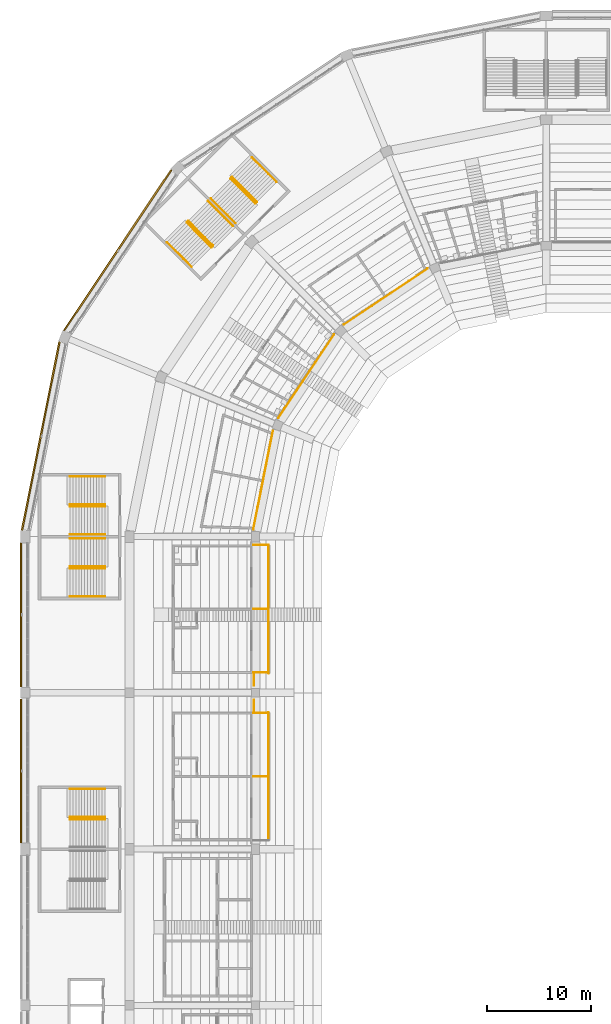
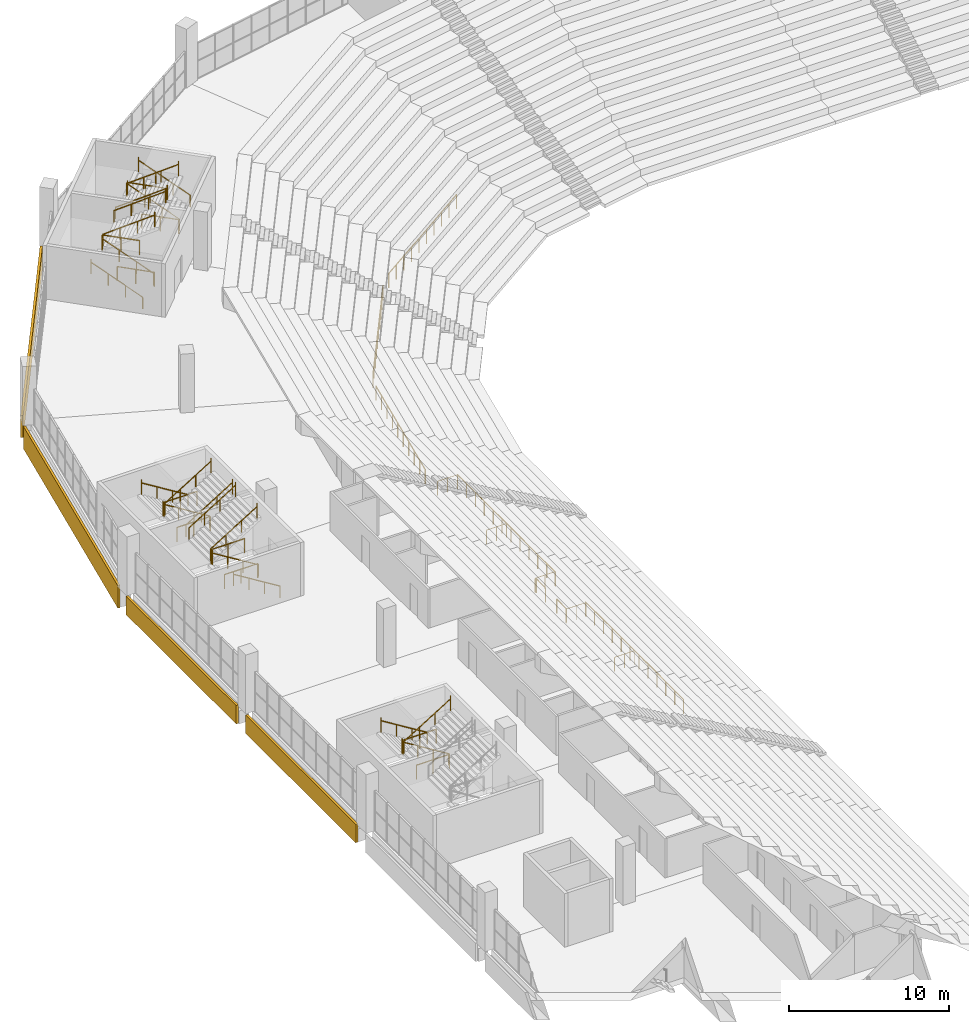
# One storey, part 239 of 249: 41 railings, 4 coverings.
"""IFC4 building model written with IfcOpenShell, lengths in metres."""

from ifc_helpers import new_model, si_unit, direction, frame, origin, origin_2d, place, context, subcontext, project, spatial, polyline, circle, outline, extrude, material, layer, layer_set, type_object, element, save


model = new_model("IFC4")

# Units and contexts
model_context = context("Model", 3, precision=1e-05, world=origin(), true_north=direction((0.0, 1.0)))
body_context = subcontext(model_context, "Body", "Model", "MODEL_VIEW")
ifc_project = project(units=[si_unit("LENGTHUNIT", "METRE"), si_unit("AREAUNIT", "SQUARE_METRE"), si_unit("VOLUMEUNIT", "CUBIC_METRE"), si_unit("PLANEANGLEUNIT", "RADIAN"), si_unit("MASSUNIT", "GRAM", prefix="KILO")], contexts=[model_context])

# Site, building, storey
site_placement = place(None, origin())
site = spatial("IfcSite", under=ifc_project, at=site_placement, CompositionType="ELEMENT")
building_placement = place(site_placement, origin())
building = spatial("IfcBuilding", under=site, at=building_placement, Name="Ogive Plaza Stadium", CompositionType="ELEMENT")
storey_placement = place(building_placement, frame((0.0, 0.0, 13.5)))
storey = spatial("IfcBuildingStorey", under=building, at=storey_placement, Name="L03", CompositionType="ELEMENT", Elevation=13.5)

# Railings
ifc_material_1 = material(Name="Steel ASTM A572 Grade 50", Category="steel")
railing_type_1 = type_object("IfcRailingType", Name="Guard 1100", PredefinedType="GUARDRAIL", material=ifc_material_1)
for number, where, name in (
    (1, (-76.35009765625, 25.47509765625, 0.0), "Stair well guard ST26A L03"),
    (2, (-77.31005859375, 25.47509765625, 2.25), "Stair well guard ST26A L03"),
    (3, (-76.35009765625, 55.47509765625, 0.0), "Stair well guard ST28A L03"),
    (4, (-77.31005859375, 55.47509765625, 2.25), "Stair well guard ST28A L03"),
    (5, (-76.35009765625, 49.52490234375, 0.0), "Stair well guard ST28B L03"),
    (6, (-77.31005859375, 49.52490234375, 2.25), "Stair well guard ST28B L03"),
):
    element("IfcRailing", number, at=place(storey_placement, frame(where)), inside=storey, type_object=railing_type_1, Name=name, PredefinedType="GUARDRAIL", context=body_context, shape_type="SweptSolid", body=[
        extrude(circle(Radius=0.02392578125, at=origin_2d()), frame((0.0, 0.0, 1.076171875), z_axis=(-1.0, 0.0, 0.0), x_axis=(0.0, -1.0, 0.0)), (0.0, 0.0, 1.0), 2.39990234375),
        extrude(circle(Radius=0.02099609375, at=origin_2d()), origin(), (0.0, 0.0, 1.0), 1.052001953125),
        extrude(circle(Radius=0.02099609375, at=origin_2d()), frame((-1.199951171875, 0.0, 0.0)), (0.0, 0.0, 1.0), 1.052001953125),
        extrude(circle(Radius=0.02099609375, at=origin_2d()), frame((-2.39990234375, 0.0, 0.0)), (0.0, 0.0, 1.0), 1.052001953125),
    ])
for number, where, name in (
    (7, (-61.84228515625, 84.549560546875, 0.0), "Stair well guard ST30A L03"),
    (8, (-62.521240234375, 85.228515625, 2.25), "Stair well guard ST30A L03"),
    (9, (-66.049560546875, 80.34228515625, 0.0), "Stair well guard ST30B L03"),
    (10, (-66.728515625, 81.021240234375, 2.25), "Stair well guard ST30B L03"),
):
    element("IfcRailing", number, at=place(storey_placement, frame(where)), inside=storey, type_object=railing_type_1, Name=name, PredefinedType="GUARDRAIL", context=body_context, shape_type="SweptSolid", body=[
        extrude(circle(Radius=0.02392578125, at=origin_2d()), frame((0.0, 0.0, 1.076171875), z_axis=(-0.707106781187, 0.707106781187, 0.0), x_axis=(-0.707106781187, -0.707106781187, 0.0)), (0.0, 0.0, 1.0), 2.39990234375),
        extrude(circle(Radius=0.02099609375, at=origin_2d()), origin(), (0.0, 0.0, 1.0), 1.052001953125),
        extrude(circle(Radius=0.02099609375, at=origin_2d()), frame((-0.8486328125, 0.8486328125, 0.0)), (0.0, 0.0, 1.0), 1.052001953125),
        extrude(circle(Radius=0.02099609375, at=origin_2d()), frame((-1.697021484375, 1.697021484375, 0.0)), (0.0, 0.0, 1.0), 1.052001953125),
    ])
railing_1_placement = place(storey_placement, frame((-62.113525390625, 53.1865234375, 0.0)))
element("IfcRailing", 11, at=railing_1_placement, inside=storey, type_object=railing_type_1, Name="Guard L03 B28", PredefinedType="GUARDRAIL", context=body_context, shape_type="SweptSolid", body=[
    extrude(circle(Radius=0.02392578125, at=origin_2d()), frame((0.0, 0.0, 1.076171875), z_axis=(0.195106054289, 0.980782150928, 0.0), x_axis=(-0.980782150928, 0.195106054289, 0.0)), (0.0, 0.0, 1.0), 9.62255859375),
    extrude(circle(Radius=0.02099609375, at=origin_2d()), origin(), (0.0, 0.0, 1.0), 1.052001953125),
    extrude(circle(Radius=0.02099609375, at=origin_2d()), frame((0.20849609375, 1.048583984375, 0.0)), (0.0, 0.0, 1.0), 1.052001953125),
    extrude(circle(Radius=0.02099609375, at=origin_2d()), frame((0.417236328125, 2.09716796875, 0.0)), (0.0, 0.0, 1.0), 1.052001953125),
    extrude(circle(Radius=0.02099609375, at=origin_2d()), frame((0.625732421875, 3.14599609375, 0.0)), (0.0, 0.0, 1.0), 1.052001953125),
    extrude(circle(Radius=0.02099609375, at=origin_2d()), frame((0.83447265625, 4.194580078125, 0.0)), (0.0, 0.0, 1.0), 1.052001953125),
    extrude(circle(Radius=0.02099609375, at=origin_2d()), frame((1.04296875, 5.2431640625, 0.0)), (0.0, 0.0, 1.0), 1.052001953125),
    extrude(circle(Radius=0.02099609375, at=origin_2d()), frame((1.251708984375, 6.291748046875, 0.0)), (0.0, 0.0, 1.0), 1.052001953125),
    extrude(circle(Radius=0.02099609375, at=origin_2d()), frame((1.460205078125, 7.340576171875, 0.0)), (0.0, 0.0, 1.0), 1.052001953125),
    extrude(circle(Radius=0.02099609375, at=origin_2d()), frame((1.6689453125, 8.38916015625, 0.0)), (0.0, 0.0, 1.0), 1.052001953125),
    extrude(circle(Radius=0.02099609375, at=origin_2d()), frame((1.87744140625, 9.437744140625, 0.0)), (0.0, 0.0, 1.0), 1.052001953125),
])
railing_2_placement = place(storey_placement, frame((-59.710693359375, 63.892822265625, 0.0)))
element("IfcRailing", 12, at=railing_2_placement, inside=storey, type_object=railing_type_1, Name="Guard L03 B29", PredefinedType="GUARDRAIL", context=body_context, shape_type="SweptSolid", body=[
    extrude(circle(Radius=0.02392578125, at=origin_2d()), frame((0.0, 0.0, 1.076171875), z_axis=(0.555560580114, 0.831476062087, 0.0), x_axis=(-0.831476062087, 0.555560580114, 0.0)), (0.0, 0.0, 1.0), 9.62255859375),
    extrude(circle(Radius=0.02099609375, at=origin_2d()), origin(), (0.0, 0.0, 1.0), 1.052001953125),
    extrude(circle(Radius=0.02099609375, at=origin_2d()), frame((0.593994140625, 0.888916015625, 0.0)), (0.0, 0.0, 1.0), 1.052001953125),
    extrude(circle(Radius=0.02099609375, at=origin_2d()), frame((1.18798828125, 1.778076171875, 0.0)), (0.0, 0.0, 1.0), 1.052001953125),
    extrude(circle(Radius=0.02099609375, at=origin_2d()), frame((1.781982421875, 2.6669921875, 0.0)), (0.0, 0.0, 1.0), 1.052001953125),
    extrude(circle(Radius=0.02099609375, at=origin_2d()), frame((2.3759765625, 3.555908203125, 0.0)), (0.0, 0.0, 1.0), 1.052001953125),
    extrude(circle(Radius=0.02099609375, at=origin_2d()), frame((2.969970703125, 4.445068359375, 0.0)), (0.0, 0.0, 1.0), 1.052001953125),
    extrude(circle(Radius=0.02099609375, at=origin_2d()), frame((3.56396484375, 5.333984375, 0.0)), (0.0, 0.0, 1.0), 1.052001953125),
    extrude(circle(Radius=0.02099609375, at=origin_2d()), frame((4.157958984375, 6.222900390625, 0.0)), (0.0, 0.0, 1.0), 1.052001953125),
    extrude(circle(Radius=0.02099609375, at=origin_2d()), frame((4.751953125, 7.112060546875, 0.0)), (0.0, 0.0, 1.0), 1.052001953125),
    extrude(circle(Radius=0.02099609375, at=origin_2d()), frame((5.345947265625, 8.0009765625, 0.0)), (0.0, 0.0, 1.0), 1.052001953125),
])
railing_3_placement = place(storey_placement, frame((-53.393798828125, 72.86474609375, 0.0)))
element("IfcRailing", 13, at=railing_3_placement, inside=storey, type_object=railing_type_1, Name="Guard L03 B30", PredefinedType="GUARDRAIL", context=body_context, shape_type="SweptSolid", body=[
    extrude(circle(Radius=0.02392578125, at=origin_2d()), frame((0.0, 0.0, 1.076171875), z_axis=(0.831476062087, 0.555560580114, 0.0), x_axis=(-0.555560580114, 0.831476062087, 0.0)), (0.0, 0.0, 1.0), 9.62255859375),
    extrude(circle(Radius=0.02099609375, at=origin_2d()), origin(), (0.0, 0.0, 1.0), 1.052001953125),
    extrude(circle(Radius=0.02099609375, at=origin_2d()), frame((0.888916015625, 0.593994140625, 0.0)), (0.0, 0.0, 1.0), 1.052001953125),
    extrude(circle(Radius=0.02099609375, at=origin_2d()), frame((1.778076171875, 1.18798828125, 0.0)), (0.0, 0.0, 1.0), 1.052001953125),
    extrude(circle(Radius=0.02099609375, at=origin_2d()), frame((2.6669921875, 1.781982421875, 0.0)), (0.0, 0.0, 1.0), 1.052001953125),
    extrude(circle(Radius=0.02099609375, at=origin_2d()), frame((3.555908203125, 2.3759765625, 0.0)), (0.0, 0.0, 1.0), 1.052001953125),
    extrude(circle(Radius=0.02099609375, at=origin_2d()), frame((4.445068359375, 2.969970703125, 0.0)), (0.0, 0.0, 1.0), 1.052001953125),
    extrude(circle(Radius=0.02099609375, at=origin_2d()), frame((5.333984375, 3.56396484375, 0.0)), (0.0, 0.0, 1.0), 1.052001953125),
    extrude(circle(Radius=0.02099609375, at=origin_2d()), frame((6.222900390625, 4.157958984375, 0.0)), (0.0, 0.0, 1.0), 1.052001953125),
    extrude(circle(Radius=0.02099609375, at=origin_2d()), frame((7.112060546875, 4.751953125, 0.0)), (0.0, 0.0, 1.0), 1.052001953125),
    extrude(circle(Radius=0.02099609375, at=origin_2d()), frame((8.0009765625, 5.345947265625, 0.0)), (0.0, 0.0, 1.0), 1.052001953125),
])
railing_4_placement = place(storey_placement, frame((-60.64990234375, 23.324951171875, 0.0)))
element("IfcRailing", 14, at=railing_4_placement, inside=storey, type_object=railing_type_1, Name="Terrace guard B26", PredefinedType="GUARDRAIL", context=body_context, shape_type="SweptSolid", body=[
    extrude(circle(Radius=0.02392578125, at=origin_2d()), frame((0.0, 0.0, 1.076171875), z_axis=(0.0, 1.0, 0.0), x_axis=(-1.0, 0.0, 0.0)), (0.0, 0.0, 1.0), 12.300048828125),
    extrude(circle(Radius=0.02099609375, at=origin_2d()), origin(), (0.0, 0.0, 1.0), 1.052001953125),
    extrude(circle(Radius=0.02099609375, at=origin_2d()), frame((0.0, 1.1181640625, 0.0)), (0.0, 0.0, 1.0), 1.052001953125),
    extrude(circle(Radius=0.02099609375, at=origin_2d()), frame((0.0, 2.236328125, 0.0)), (0.0, 0.0, 1.0), 1.052001953125),
    extrude(circle(Radius=0.02099609375, at=origin_2d()), frame((0.0, 3.3544921875, 0.0)), (0.0, 0.0, 1.0), 1.052001953125),
    extrude(circle(Radius=0.02099609375, at=origin_2d()), frame((0.0, 4.47265625, 0.0)), (0.0, 0.0, 1.0), 1.052001953125),
    extrude(circle(Radius=0.02099609375, at=origin_2d()), frame((0.0, 5.5908203125, 0.0)), (0.0, 0.0, 1.0), 1.052001953125),
    extrude(circle(Radius=0.02099609375, at=origin_2d()), frame((0.0, 6.709228515625, 0.0)), (0.0, 0.0, 1.0), 1.052001953125),
    extrude(circle(Radius=0.02099609375, at=origin_2d()), frame((0.0, 7.827392578125, 0.0)), (0.0, 0.0, 1.0), 1.052001953125),
    extrude(circle(Radius=0.02099609375, at=origin_2d()), frame((0.0, 8.945556640625, 0.0)), (0.0, 0.0, 1.0), 1.052001953125),
    extrude(circle(Radius=0.02099609375, at=origin_2d()), frame((0.0, 10.063720703125, 0.0)), (0.0, 0.0, 1.0), 1.052001953125),
    extrude(circle(Radius=0.02099609375, at=origin_2d()), frame((0.0, 11.181884765625, 0.0)), (0.0, 0.0, 1.0), 1.052001953125),
    extrude(circle(Radius=0.02099609375, at=origin_2d()), frame((0.0, 12.300048828125, 0.0)), (0.0, 0.0, 1.0), 1.052001953125),
])
railing_5_placement = place(storey_placement, frame((-62.050048828125, 35.625, 0.0)))
element("IfcRailing", 15, at=railing_5_placement, inside=storey, type_object=railing_type_1, Name="Floor edge guard B26", PredefinedType="GUARDRAIL", context=body_context, shape_type="SweptSolid", body=[
    extrude(circle(Radius=0.02392578125, at=origin_2d()), frame((0.0, 0.0, 1.076171875), z_axis=(0.0, 1.0, 0.0), x_axis=(-1.0, 0.0, 0.0)), (0.0, 0.0, 1.0), 1.175048828125),
    extrude(circle(Radius=0.02099609375, at=origin_2d()), origin(), (0.0, 0.0, 1.0), 1.052001953125),
    extrude(circle(Radius=0.02099609375, at=origin_2d()), frame((0.0, 1.175048828125, 0.0)), (0.0, 0.0, 1.0), 1.052001953125),
])
for number, where, name in (
    (16, (-60.64990234375, 29.47509765625, 0.0), "Terrace screen B26"),
    (17, (-60.64990234375, 35.550048828125, 0.0), "Terrace screen B26"),
):
    element("IfcRailing", number, at=place(storey_placement, frame(where)), inside=storey, type_object=railing_type_1, Name=name, PredefinedType="GUARDRAIL", context=body_context, shape_type="SweptSolid", body=[
        extrude(circle(Radius=0.02392578125, at=origin_2d()), frame((0.0, 0.0, 1.076171875), z_axis=(-1.0, 0.0, 0.0), x_axis=(0.0, -1.0, 0.0)), (0.0, 0.0, 1.0), 1.4501953125),
        extrude(circle(Radius=0.02099609375, at=origin_2d()), origin(), (0.0, 0.0, 1.0), 1.052001953125),
        extrude(circle(Radius=0.02099609375, at=origin_2d()), frame((-0.72509765625, 0.0, 0.0)), (0.0, 0.0, 1.0), 1.052001953125),
        extrude(circle(Radius=0.02099609375, at=origin_2d()), frame((-1.4501953125, 0.0, 0.0)), (0.0, 0.0, 1.0), 1.052001953125),
    ])
railing_6_placement = place(storey_placement, frame((-60.64990234375, 51.675048828125, 0.0)))
element("IfcRailing", 18, at=railing_6_placement, inside=storey, type_object=railing_type_1, Name="Terrace guard B27", PredefinedType="GUARDRAIL", context=body_context, shape_type="SweptSolid", body=[
    extrude(circle(Radius=0.02392578125, at=origin_2d()), frame((0.0, 0.0, 1.076171875), z_axis=(0.0, -1.0, 0.0), x_axis=(1.0, 0.0, 0.0)), (0.0, 0.0, 1.0), 12.300048828125),
    extrude(circle(Radius=0.02099609375, at=origin_2d()), origin(), (0.0, 0.0, 1.0), 1.052001953125),
    extrude(circle(Radius=0.02099609375, at=origin_2d()), frame((0.0, -1.1181640625, 0.0)), (0.0, 0.0, 1.0), 1.052001953125),
    extrude(circle(Radius=0.02099609375, at=origin_2d()), frame((0.0, -2.236328125, 0.0)), (0.0, 0.0, 1.0), 1.052001953125),
    extrude(circle(Radius=0.02099609375, at=origin_2d()), frame((0.0, -3.3544921875, 0.0)), (0.0, 0.0, 1.0), 1.052001953125),
    extrude(circle(Radius=0.02099609375, at=origin_2d()), frame((0.0, -4.47265625, 0.0)), (0.0, 0.0, 1.0), 1.052001953125),
    extrude(circle(Radius=0.02099609375, at=origin_2d()), frame((0.0, -5.5908203125, 0.0)), (0.0, 0.0, 1.0), 1.052001953125),
    extrude(circle(Radius=0.02099609375, at=origin_2d()), frame((0.0, -6.709228515625, 0.0)), (0.0, 0.0, 1.0), 1.052001953125),
    extrude(circle(Radius=0.02099609375, at=origin_2d()), frame((0.0, -7.827392578125, 0.0)), (0.0, 0.0, 1.0), 1.052001953125),
    extrude(circle(Radius=0.02099609375, at=origin_2d()), frame((0.0, -8.945556640625, 0.0)), (0.0, 0.0, 1.0), 1.052001953125),
    extrude(circle(Radius=0.02099609375, at=origin_2d()), frame((0.0, -10.063720703125, 0.0)), (0.0, 0.0, 1.0), 1.052001953125),
    extrude(circle(Radius=0.02099609375, at=origin_2d()), frame((0.0, -11.181884765625, 0.0)), (0.0, 0.0, 1.0), 1.052001953125),
    extrude(circle(Radius=0.02099609375, at=origin_2d()), frame((0.0, -12.300048828125, 0.0)), (0.0, 0.0, 1.0), 1.052001953125),
])
railing_7_placement = place(storey_placement, frame((-62.050048828125, 39.375, 0.0)))
element("IfcRailing", 19, at=railing_7_placement, inside=storey, type_object=railing_type_1, Name="Floor edge guard B27", PredefinedType="GUARDRAIL", context=body_context, shape_type="SweptSolid", body=[
    extrude(circle(Radius=0.02392578125, at=origin_2d()), frame((0.0, 0.0, 1.076171875), z_axis=(0.0, -1.0, 0.0), x_axis=(1.0, 0.0, 0.0)), (0.0, 0.0, 1.0), 1.175048828125),
    extrude(circle(Radius=0.02099609375, at=origin_2d()), origin(), (0.0, 0.0, 1.0), 1.052001953125),
    extrude(circle(Radius=0.02099609375, at=origin_2d()), frame((0.0, -1.175048828125, 0.0)), (0.0, 0.0, 1.0), 1.052001953125),
])
for number, where, name in (
    (20, (-60.64990234375, 51.675048828125, 0.0), "Terrace screen B27"),
    (21, (-60.64990234375, 45.52490234375, 0.0), "Terrace screen B27"),
    (22, (-60.64990234375, 39.449951171875, 0.0), "Terrace screen B27"),
):
    element("IfcRailing", number, at=place(storey_placement, frame(where)), inside=storey, type_object=railing_type_1, Name=name, PredefinedType="GUARDRAIL", context=body_context, shape_type="SweptSolid", body=[
        extrude(circle(Radius=0.02392578125, at=origin_2d()), frame((0.0, 0.0, 1.076171875), z_axis=(-1.0, 0.0, 0.0), x_axis=(0.0, -1.0, 0.0)), (0.0, 0.0, 1.0), 1.4501953125),
        extrude(circle(Radius=0.02099609375, at=origin_2d()), origin(), (0.0, 0.0, 1.0), 1.052001953125),
        extrude(circle(Radius=0.02099609375, at=origin_2d()), frame((-0.72509765625, 0.0, 0.0)), (0.0, 0.0, 1.0), 1.052001953125),
        extrude(circle(Radius=0.02099609375, at=origin_2d()), frame((-1.4501953125, 0.0, 0.0)), (0.0, 0.0, 1.0), 1.052001953125),
    ])
ifc_material_2 = material(Name="Steel ASTM A572 Grade 50", Category="steel")
railing_type_2 = type_object("IfcRailingType", Name="Handrail 900", PredefinedType="HANDRAIL", material=ifc_material_2)
for number, where, name in (
    (23, (-76.35009765625, 28.264892578125, 0.173095703125), "Handrail ST26A L03"),
    (24, (-76.35009765625, 25.5849609375, 0.173095703125), "Handrail ST26A L03"),
):
    element("IfcRailing", number, at=place(storey_placement, frame(where)), inside=storey, type_object=railing_type_2, Name=name, PredefinedType="HANDRAIL", context=body_context, shape_type="SweptSolid", body=[
        extrude(circle(Radius=0.02392578125, at=origin_2d()), frame((0.0, 0.0, 0.8759765625), z_axis=(-0.850606129759, 0.0, 0.525803396734), x_axis=(0.0, -1.0, 0.0)), (0.0, 0.0, 1.0), 3.949951171875),
        extrude(circle(Radius=0.02099609375, at=origin_2d()), origin(), (0.0, 0.0, 1.0), 0.851806640625),
        extrude(circle(Radius=0.02099609375, at=origin_2d()), frame((-1.119873046875, 0.0, 0.6923828125)), (0.0, 0.0, 1.0), 0.851806640625),
        extrude(circle(Radius=0.02099609375, at=origin_2d()), frame((-2.239990234375, 0.0, 1.384521484375)), (0.0, 0.0, 1.0), 0.851806640625),
        extrude(circle(Radius=0.02099609375, at=origin_2d()), frame((-3.35986328125, 0.0, 2.076904296875)), (0.0, 0.0, 1.0), 1.10009765625),
    ])
railing_8_placement = place(storey_placement, frame((-79.7099609375, 25.364990234375, 2.423095703125)))
element("IfcRailing", 25, at=railing_8_placement, inside=storey, type_object=railing_type_2, Name="Handrail ST26A L03", PredefinedType="HANDRAIL", context=body_context, shape_type="SweptSolid", body=[
    extrude(circle(Radius=0.02392578125, at=origin_2d()), frame((0.0, 0.0, 0.8759765625), z_axis=(0.850606129759, 0.0, 0.525803396734), x_axis=(0.0, 1.0, 0.0)), (0.0, 0.0, 1.0), 3.949951171875),
    extrude(circle(Radius=0.02099609375, at=origin_2d()), origin(), (0.0, 0.0, 1.0), 0.851806640625),
    extrude(circle(Radius=0.02099609375, at=origin_2d()), frame((1.119873046875, 0.0, 0.6923828125)), (0.0, 0.0, 1.0), 0.851806640625),
    extrude(circle(Radius=0.02099609375, at=origin_2d()), frame((2.239990234375, 0.0, 1.384521484375)), (0.0, 0.0, 1.0), 0.851806640625),
    extrude(circle(Radius=0.02099609375, at=origin_2d()), frame((3.35986328125, 0.0, 2.076904296875)), (0.0, 0.0, 1.0), 1.10009765625),
])
for number, where, name in (
    (26, (-76.35009765625, 58.264892578125, 0.173095703125), "Handrail ST28A L03"),
    (27, (-76.35009765625, 55.5849609375, 0.173095703125), "Handrail ST28A L03"),
):
    element("IfcRailing", number, at=place(storey_placement, frame(where)), inside=storey, type_object=railing_type_2, Name=name, PredefinedType="HANDRAIL", context=body_context, shape_type="SweptSolid", body=[
        extrude(circle(Radius=0.02392578125, at=origin_2d()), frame((0.0, 0.0, 0.8759765625), z_axis=(-0.850606129759, 0.0, 0.525803396734), x_axis=(0.0, -1.0, 0.0)), (0.0, 0.0, 1.0), 3.949951171875),
        extrude(circle(Radius=0.02099609375, at=origin_2d()), origin(), (0.0, 0.0, 1.0), 0.851806640625),
        extrude(circle(Radius=0.02099609375, at=origin_2d()), frame((-1.119873046875, 0.0, 0.6923828125)), (0.0, 0.0, 1.0), 0.851806640625),
        extrude(circle(Radius=0.02099609375, at=origin_2d()), frame((-2.239990234375, 0.0, 1.384521484375)), (0.0, 0.0, 1.0), 0.851806640625),
        extrude(circle(Radius=0.02099609375, at=origin_2d()), frame((-3.35986328125, 0.0, 2.076904296875)), (0.0, 0.0, 1.0), 1.10009765625),
    ])
for number, where, name in (
    (28, (-79.7099609375, 55.364990234375, 2.423095703125), "Handrail ST28A L03"),
    (29, (-79.7099609375, 52.68505859375, 2.423095703125), "Handrail ST28A L03"),
):
    element("IfcRailing", number, at=place(storey_placement, frame(where)), inside=storey, type_object=railing_type_2, Name=name, PredefinedType="HANDRAIL", context=body_context, shape_type="SweptSolid", body=[
        extrude(circle(Radius=0.02392578125, at=origin_2d()), frame((0.0, 0.0, 0.8759765625), z_axis=(0.850606129759, 0.0, 0.525803396734), x_axis=(0.0, 1.0, 0.0)), (0.0, 0.0, 1.0), 3.949951171875),
        extrude(circle(Radius=0.02099609375, at=origin_2d()), origin(), (0.0, 0.0, 1.0), 0.851806640625),
        extrude(circle(Radius=0.02099609375, at=origin_2d()), frame((1.119873046875, 0.0, 0.6923828125)), (0.0, 0.0, 1.0), 0.851806640625),
        extrude(circle(Radius=0.02099609375, at=origin_2d()), frame((2.239990234375, 0.0, 1.384521484375)), (0.0, 0.0, 1.0), 0.851806640625),
        extrude(circle(Radius=0.02099609375, at=origin_2d()), frame((3.35986328125, 0.0, 2.076904296875)), (0.0, 0.0, 1.0), 1.10009765625),
    ])
for number, where, name in (
    (30, (-76.35009765625, 49.4150390625, 0.173095703125), "Handrail ST28B L03"),
    (31, (-76.35009765625, 46.735107421875, 0.173095703125), "Handrail ST28B L03"),
):
    element("IfcRailing", number, at=place(storey_placement, frame(where)), inside=storey, type_object=railing_type_2, Name=name, PredefinedType="HANDRAIL", context=body_context, shape_type="SweptSolid", body=[
        extrude(circle(Radius=0.02392578125, at=origin_2d()), frame((0.0, 0.0, 0.8759765625), z_axis=(-0.850606129759, 0.0, 0.525803396734), x_axis=(0.0, -1.0, 0.0)), (0.0, 0.0, 1.0), 3.949951171875),
        extrude(circle(Radius=0.02099609375, at=origin_2d()), origin(), (0.0, 0.0, 1.0), 0.851806640625),
        extrude(circle(Radius=0.02099609375, at=origin_2d()), frame((-1.119873046875, 0.0, 0.6923828125)), (0.0, 0.0, 1.0), 0.851806640625),
        extrude(circle(Radius=0.02099609375, at=origin_2d()), frame((-2.239990234375, 0.0, 1.384521484375)), (0.0, 0.0, 1.0), 0.851806640625),
        extrude(circle(Radius=0.02099609375, at=origin_2d()), frame((-3.35986328125, 0.0, 2.076904296875)), (0.0, 0.0, 1.0), 1.10009765625),
    ])
for number, where, name in (
    (32, (-79.7099609375, 52.31494140625, 2.423095703125), "Handrail ST28B L03"),
    (33, (-79.7099609375, 49.635009765625, 2.423095703125), "Handrail ST28B L03"),
):
    element("IfcRailing", number, at=place(storey_placement, frame(where)), inside=storey, type_object=railing_type_2, Name=name, PredefinedType="HANDRAIL", context=body_context, shape_type="SweptSolid", body=[
        extrude(circle(Radius=0.02392578125, at=origin_2d()), frame((0.0, 0.0, 0.8759765625), z_axis=(0.850606129759, 0.0, 0.525803396734), x_axis=(0.0, 1.0, 0.0)), (0.0, 0.0, 1.0), 3.949951171875),
        extrude(circle(Radius=0.02099609375, at=origin_2d()), origin(), (0.0, 0.0, 1.0), 0.851806640625),
        extrude(circle(Radius=0.02099609375, at=origin_2d()), frame((1.119873046875, 0.0, 0.6923828125)), (0.0, 0.0, 1.0), 0.851806640625),
        extrude(circle(Radius=0.02099609375, at=origin_2d()), frame((2.239990234375, 0.0, 1.384521484375)), (0.0, 0.0, 1.0), 0.851806640625),
        extrude(circle(Radius=0.02099609375, at=origin_2d()), frame((3.35986328125, 0.0, 2.076904296875)), (0.0, 0.0, 1.0), 1.10009765625),
    ])
railing_9_placement = place(storey_placement, frame((-59.869384765625, 86.5224609375, 0.173095703125)))
element("IfcRailing", 34, at=railing_9_placement, inside=storey, type_object=railing_type_2, Name="Handrail ST30A L03", PredefinedType="HANDRAIL", context=body_context, shape_type="SweptSolid", body=[
    extrude(circle(Radius=0.02392578125, at=origin_2d()), frame((0.0, 0.0, 0.8759765625), z_axis=(-0.601482971545, 0.601482971545, 0.525772260474), x_axis=(-0.707106781187, -0.707106781187, 0.0)), (0.0, 0.0, 1.0), 3.9501953125),
    extrude(circle(Radius=0.02099609375, at=origin_2d()), origin(), (0.0, 0.0, 1.0), 0.851806640625),
    extrude(circle(Radius=0.02099609375, at=origin_2d()), frame((-0.7919921875, 0.7919921875, 0.6923828125)), (0.0, 0.0, 1.0), 0.851806640625),
    extrude(circle(Radius=0.02099609375, at=origin_2d()), frame((-1.583984375, 1.583984375, 1.384521484375)), (0.0, 0.0, 1.0), 0.851806640625),
    extrude(circle(Radius=0.02099609375, at=origin_2d()), frame((-2.3759765625, 2.3759765625, 2.076904296875)), (0.0, 0.0, 1.0), 1.10009765625),
])
railing_10_placement = place(storey_placement, frame((-61.7646484375, 84.62744140625, 0.173095703125)))
element("IfcRailing", 35, at=railing_10_placement, inside=storey, type_object=railing_type_2, Name="Handrail ST30A L03", PredefinedType="HANDRAIL", context=body_context, shape_type="SweptSolid", body=[
    extrude(circle(Radius=0.02392578125, at=origin_2d()), frame((0.0, 0.0, 0.8759765625), z_axis=(-0.601465884576, 0.601465884576, 0.525811353416), x_axis=(-0.707106781187, -0.707106781187, 0.0)), (0.0, 0.0, 1.0), 3.949951171875),
    extrude(circle(Radius=0.02099609375, at=origin_2d()), origin(), (0.0, 0.0, 1.0), 0.851806640625),
    extrude(circle(Radius=0.02099609375, at=origin_2d()), frame((-0.7919921875, 0.7919921875, 0.6923828125)), (0.0, 0.0, 1.0), 0.851806640625),
    extrude(circle(Radius=0.02099609375, at=origin_2d()), frame((-1.583740234375, 1.583740234375, 1.384521484375)), (0.0, 0.0, 1.0), 0.851806640625),
    extrude(circle(Radius=0.02099609375, at=origin_2d()), frame((-2.375732421875, 2.375732421875, 2.076904296875)), (0.0, 0.0, 1.0), 1.10009765625),
])
for number, where, name in (
    (36, (-64.2958984375, 86.84765625, 2.423095703125), "Handrail ST30A L03"),
    (37, (-66.19091796875, 84.95263671875, 2.423095703125), "Handrail ST30A L03"),
):
    element("IfcRailing", number, at=place(storey_placement, frame(where)), inside=storey, type_object=railing_type_2, Name=name, PredefinedType="HANDRAIL", context=body_context, shape_type="SweptSolid", body=[
        extrude(circle(Radius=0.02392578125, at=origin_2d()), frame((0.0, 0.0, 0.8759765625), z_axis=(0.601465884576, -0.601465884576, 0.525811353416), x_axis=(0.707106781187, 0.707106781187, 0.0)), (0.0, 0.0, 1.0), 3.949951171875),
        extrude(circle(Radius=0.02099609375, at=origin_2d()), origin(), (0.0, 0.0, 1.0), 0.851806640625),
        extrude(circle(Radius=0.02099609375, at=origin_2d()), frame((0.7919921875, -0.7919921875, 0.6923828125)), (0.0, 0.0, 1.0), 0.851806640625),
        extrude(circle(Radius=0.02099609375, at=origin_2d()), frame((1.583740234375, -1.583740234375, 1.384521484375)), (0.0, 0.0, 1.0), 0.851806640625),
        extrude(circle(Radius=0.02099609375, at=origin_2d()), frame((2.375732421875, -2.375732421875, 2.076904296875)), (0.0, 0.0, 1.0), 1.10009765625),
    ])
railing_11_placement = place(storey_placement, frame((-66.12744140625, 80.2646484375, 0.173095703125)))
element("IfcRailing", 38, at=railing_11_placement, inside=storey, type_object=railing_type_2, Name="Handrail ST30B L03", PredefinedType="HANDRAIL", context=body_context, shape_type="SweptSolid", body=[
    extrude(circle(Radius=0.02392578125, at=origin_2d()), frame((0.0, 0.0, 0.8759765625), z_axis=(-0.601465884576, 0.601465884576, 0.525811353416), x_axis=(-0.707106781187, -0.707106781187, 0.0)), (0.0, 0.0, 1.0), 3.949951171875),
    extrude(circle(Radius=0.02099609375, at=origin_2d()), origin(), (0.0, 0.0, 1.0), 0.851806640625),
    extrude(circle(Radius=0.02099609375, at=origin_2d()), frame((-0.7919921875, 0.7919921875, 0.6923828125)), (0.0, 0.0, 1.0), 0.851806640625),
    extrude(circle(Radius=0.02099609375, at=origin_2d()), frame((-1.583740234375, 1.583740234375, 1.384521484375)), (0.0, 0.0, 1.0), 0.851806640625),
    extrude(circle(Radius=0.02099609375, at=origin_2d()), frame((-2.375732421875, 2.375732421875, 2.076904296875)), (0.0, 0.0, 1.0), 1.10009765625),
])
railing_12_placement = place(storey_placement, frame((-68.0224609375, 78.369384765625, 0.173095703125)))
element("IfcRailing", 39, at=railing_12_placement, inside=storey, type_object=railing_type_2, Name="Handrail ST30B L03", PredefinedType="HANDRAIL", context=body_context, shape_type="SweptSolid", body=[
    extrude(circle(Radius=0.02392578125, at=origin_2d()), frame((0.0, 0.0, 0.8759765625), z_axis=(-0.601482971545, 0.601482971545, 0.525772260474), x_axis=(-0.707106781187, -0.707106781187, 0.0)), (0.0, 0.0, 1.0), 3.9501953125),
    extrude(circle(Radius=0.02099609375, at=origin_2d()), origin(), (0.0, 0.0, 1.0), 0.851806640625),
    extrude(circle(Radius=0.02099609375, at=origin_2d()), frame((-0.7919921875, 0.7919921875, 0.6923828125)), (0.0, 0.0, 1.0), 0.851806640625),
    extrude(circle(Radius=0.02099609375, at=origin_2d()), frame((-1.583984375, 1.583984375, 1.384521484375)), (0.0, 0.0, 1.0), 0.851806640625),
    extrude(circle(Radius=0.02099609375, at=origin_2d()), frame((-2.3759765625, 2.3759765625, 2.076904296875)), (0.0, 0.0, 1.0), 1.10009765625),
])
for number, where, name in (
    (40, (-66.45263671875, 84.69091796875, 2.423095703125), "Handrail ST30B L03"),
    (41, (-68.34765625, 82.7958984375, 2.423095703125), "Handrail ST30B L03"),
):
    element("IfcRailing", number, at=place(storey_placement, frame(where)), inside=storey, type_object=railing_type_2, Name=name, PredefinedType="HANDRAIL", context=body_context, shape_type="SweptSolid", body=[
        extrude(circle(Radius=0.02392578125, at=origin_2d()), frame((0.0, 0.0, 0.8759765625), z_axis=(0.601465884576, -0.601465884576, 0.525811353416), x_axis=(0.707106781187, 0.707106781187, 0.0)), (0.0, 0.0, 1.0), 3.949951171875),
        extrude(circle(Radius=0.02099609375, at=origin_2d()), origin(), (0.0, 0.0, 1.0), 0.851806640625),
        extrude(circle(Radius=0.02099609375, at=origin_2d()), frame((0.7919921875, -0.7919921875, 0.6923828125)), (0.0, 0.0, 1.0), 0.851806640625),
        extrude(circle(Radius=0.02099609375, at=origin_2d()), frame((1.583740234375, -1.583740234375, 1.384521484375)), (0.0, 0.0, 1.0), 0.851806640625),
        extrude(circle(Radius=0.02099609375, at=origin_2d()), frame((2.375732421875, -2.375732421875, 2.076904296875)), (0.0, 0.0, 1.0), 1.10009765625),
    ])

# Coverings
ifc_material_3 = material(Name="Cast stone (reconstituted limestone)", Category="masonry")
ifc_layer = layer(ifc_material_3, 0.159912109375)
ifc_layer_set = layer_set([ifc_layer], Name="Precast spandrel cladding 160")
covering_type = type_object("IfcCoveringType", Name="Precast spandrel cladding 160", PredefinedType="CLADDING", material=ifc_layer_set)
covering_1_placement = place(storey_placement, frame((0.0, 0.0, -1.409912109375)))
element("IfcCovering", 42, at=covering_1_placement, inside=storey, type_object=covering_type, Name="SPANDREL CLADDING B26 L03", PredefinedType="CLADDING", context=body_context, shape_type="SweptSolid", body=[
    extrude(outline(polyline([(-84.35009765625, 23.10009765625), (-84.35009765625, 36.89990234375), (-84.510009765625, 36.89990234375), (-84.510009765625, 23.10009765625), (-84.35009765625, 23.10009765625)])), origin(), (0.0, 0.0, 1.0), 1.409912109375),
])
covering_2_placement = place(storey_placement, frame((0.0, 0.0, -1.409912109375)))
element("IfcCovering", 43, at=covering_2_placement, inside=storey, type_object=covering_type, Name="SPANDREL CLADDING B27 L03", PredefinedType="CLADDING", context=body_context, shape_type="SweptSolid", body=[
    extrude(outline(polyline([(-84.35009765625, 38.10009765625), (-84.35009765625, 51.89990234375), (-84.510009765625, 51.89990234375), (-84.510009765625, 38.10009765625), (-84.35009765625, 38.10009765625)])), origin(), (0.0, 0.0, 1.0), 1.409912109375),
])
covering_3_placement = place(storey_placement, frame((0.0, 0.0, -1.7099609375)))
element("IfcCovering", 44, at=covering_3_placement, inside=storey, type_object=covering_type, Name="SPANDREL CLADDING B28 L03", PredefinedType="CLADDING", context=body_context, shape_type="SweptSolid", body=[
    extrude(outline(polyline([(-84.237548828125, 53.10009765625), (-80.64306640625, 71.170654296875), (-80.800048828125, 71.201904296875), (-84.39453125, 53.131103515625), (-84.237548828125, 53.10009765625)])), origin(), (0.0, 0.0, 1.0), 1.7099609375),
])
covering_4_placement = place(storey_placement, frame((0.0, 0.0, -1.7099609375)))
element("IfcCovering", 45, at=covering_4_placement, inside=storey, type_object=covering_type, Name="SPANDREL CLADDING B29 L03", PredefinedType="CLADDING", context=body_context, shape_type="SweptSolid", body=[
    extrude(outline(polyline([(-80.212158203125, 72.237060546875), (-69.919189453125, 87.641357421875), (-70.05224609375, 87.730224609375), (-80.34521484375, 72.325927734375), (-80.212158203125, 72.237060546875)])), origin(), (0.0, 0.0, 1.0), 1.7099609375),
])

save(model, "model.ifc")
